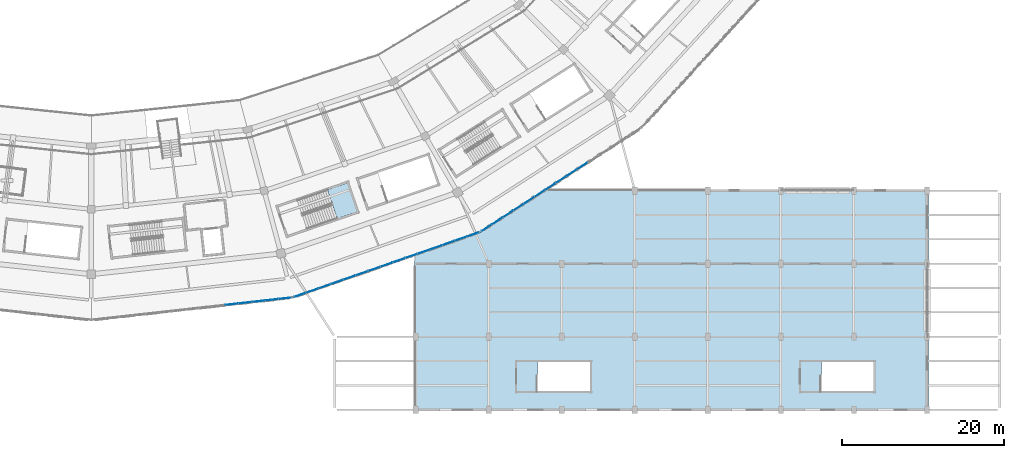
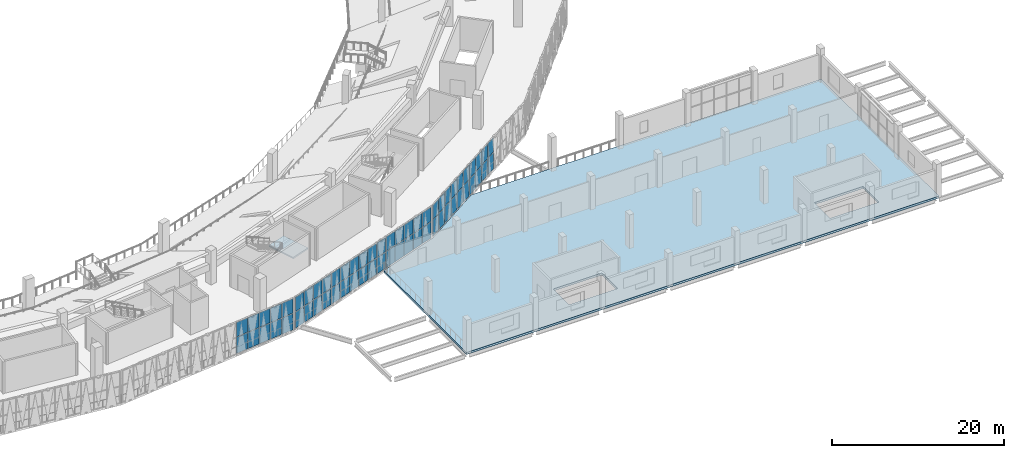
# One storey, part 77 of 152: 60 plates, 2 slabs, 4 elements without a shape of their own.
"""IFC4 building model written with IfcOpenShell, lengths in metres."""

from ifc_helpers import new_model, si_unit, direction, frame, origin, origin_2d, place, context, subcontext, project, spatial, polyline, rectangle, outline, extrude, material, layer, layer_set, type_object, element, aggregate, save


model = new_model("IFC4")

# Units and contexts
model_context = context("Model", 3, precision=1e-05, world=origin(), true_north=direction((0.0, 1.0)))
body_context = subcontext(model_context, "Body", "Model", "MODEL_VIEW")
ifc_project = project(units=[si_unit("LENGTHUNIT", "METRE"), si_unit("AREAUNIT", "SQUARE_METRE"), si_unit("VOLUMEUNIT", "CUBIC_METRE"), si_unit("PLANEANGLEUNIT", "RADIAN"), si_unit("MASSUNIT", "GRAM", prefix="KILO")], contexts=[model_context])

# Site, building, storey
site_placement = place(None, origin())
site = spatial("IfcSite", under=ifc_project, at=site_placement, CompositionType="ELEMENT")
building_placement = place(site_placement, origin())
building = spatial("IfcBuilding", under=site, at=building_placement, Name="Zevraka Park Crest Stadium", CompositionType="ELEMENT")
storey_placement = place(building_placement, frame((0.0, 0.0, 15.0)))
storey = spatial("IfcBuildingStorey", under=building, at=storey_placement, Name="L03", CompositionType="ELEMENT", Elevation=15.0)

# Curtain wall, plates
ifc_material_1 = material(Name="Anodised architectural aluminium and laminated safety glass", Category="aluminium")
curtain_wall_type_1 = type_object("IfcCurtainWallType", Name="CW11", PredefinedType="NOTDEFINED", material=ifc_material_1)
curtain_wall_1_placement = place(storey_placement, origin())
curtain_wall_1 = element("IfcCurtainWall", 1, at=curtain_wall_1_placement, inside=storey, type_object=curtain_wall_type_1, Name="Unitised Ring Curtain Wall CW11 L03-18", PredefinedType="NOTDEFINED")
ifc_material_2 = material(Name="Solar-control laminated double glazing", Category="glass")
ifc_layer_1 = layer(ifc_material_2, 0.028076171875)
ifc_layer_set_1 = layer_set([ifc_layer_1], Name="Solar-control laminated double glazing")
plate_type_1 = type_object("IfcPlateType", Name="CP11", PredefinedType="CURTAIN_PANEL", material=ifc_layer_set_1)
plate_1_placement = place(storey_placement, frame((129.328369140625, 13.00537109375, 0.06494140625), z_axis=(0.0, 0.0, 1.0), x_axis=(0.993887680665, 0.110396006373, 0.0)))
plate_1 = element("IfcPlate", 2, at=plate_1_placement, type_object=plate_type_1, Name="CW11 panel 11.1", PredefinedType="CURTAIN_PANEL", context=body_context, shape_type="SweptSolid", body=[
    extrude(rectangle(XDim=1.5830078125, YDim=0.028076171875, at=origin_2d()), origin(), (0.0, 0.0, 1.0), 2.302490234375),
])
plate_2_placement = place(storey_placement, frame((129.328369140625, 13.00537109375, 2.4326171875), z_axis=(0.0, 0.0, 1.0), x_axis=(0.993887680665, 0.110396006373, 0.0)))
plate_2 = element("IfcPlate", 3, at=plate_2_placement, type_object=plate_type_1, Name="CW11 panel 11.2", PredefinedType="CURTAIN_PANEL", context=body_context, shape_type="SweptSolid", body=[
    extrude(rectangle(XDim=1.5830078125, YDim=0.028076171875, at=origin_2d()), origin(), (0.0, 0.0, 1.0), 2.04248046875),
])
plate_3_placement = place(storey_placement, frame((130.96630859375, 13.187255859375, 0.06494140625), z_axis=(0.0, 0.0, 1.0), x_axis=(0.993887680665, 0.110396006373, 0.0)))
plate_3 = element("IfcPlate", 4, at=plate_3_placement, type_object=plate_type_1, Name="CW11 panel 12.1", PredefinedType="CURTAIN_PANEL", context=body_context, shape_type="SweptSolid", body=[
    extrude(rectangle(XDim=1.5830078125, YDim=0.028076171875, at=origin_2d()), origin(), (0.0, 0.0, 1.0), 2.302490234375),
])
plate_4_placement = place(storey_placement, frame((130.96630859375, 13.187255859375, 2.4326171875), z_axis=(0.0, 0.0, 1.0), x_axis=(0.993887680665, 0.110396006373, 0.0)))
plate_4 = element("IfcPlate", 5, at=plate_4_placement, type_object=plate_type_1, Name="CW11 panel 12.2", PredefinedType="CURTAIN_PANEL", context=body_context, shape_type="SweptSolid", body=[
    extrude(rectangle(XDim=1.5830078125, YDim=0.028076171875, at=origin_2d()), origin(), (0.0, 0.0, 1.0), 2.04248046875),
])
plate_5_placement = place(storey_placement, frame((132.604248046875, 13.369140625, 0.06494140625), z_axis=(0.0, 0.0, 1.0), x_axis=(0.993887680665, 0.110396006373, 0.0)))
plate_5 = element("IfcPlate", 6, at=plate_5_placement, type_object=plate_type_1, Name="CW11 panel 13.1", PredefinedType="CURTAIN_PANEL", context=body_context, shape_type="SweptSolid", body=[
    extrude(rectangle(XDim=1.5830078125, YDim=0.028076171875, at=origin_2d()), origin(), (0.0, 0.0, 1.0), 2.302490234375),
])
plate_6_placement = place(storey_placement, frame((132.604248046875, 13.369140625, 2.4326171875), z_axis=(0.0, 0.0, 1.0), x_axis=(0.993887680665, 0.110396006373, 0.0)))
plate_6 = element("IfcPlate", 7, at=plate_6_placement, type_object=plate_type_1, Name="CW11 panel 13.2", PredefinedType="CURTAIN_PANEL", context=body_context, shape_type="SweptSolid", body=[
    extrude(rectangle(XDim=1.5830078125, YDim=0.028076171875, at=origin_2d()), origin(), (0.0, 0.0, 1.0), 2.04248046875),
])
plate_7_placement = place(storey_placement, frame((134.2421875, 13.551025390625, 0.06494140625), z_axis=(0.0, 0.0, 1.0), x_axis=(0.993887680665, 0.110396006373, 0.0)))
plate_7 = element("IfcPlate", 8, at=plate_7_placement, type_object=plate_type_1, Name="CW11 panel 14.1", PredefinedType="CURTAIN_PANEL", context=body_context, shape_type="SweptSolid", body=[
    extrude(rectangle(XDim=1.5830078125, YDim=0.028076171875, at=origin_2d()), origin(), (0.0, 0.0, 1.0), 2.302490234375),
])
plate_8_placement = place(storey_placement, frame((134.2421875, 13.551025390625, 2.4326171875), z_axis=(0.0, 0.0, 1.0), x_axis=(0.993887680665, 0.110396006373, 0.0)))
plate_8 = element("IfcPlate", 9, at=plate_8_placement, type_object=plate_type_1, Name="CW11 panel 14.2", PredefinedType="CURTAIN_PANEL", context=body_context, shape_type="SweptSolid", body=[
    extrude(rectangle(XDim=1.5830078125, YDim=0.028076171875, at=origin_2d()), origin(), (0.0, 0.0, 1.0), 2.04248046875),
])
plate_9_placement = place(storey_placement, frame((135.86376953125, 13.731201171875, 0.06494140625), z_axis=(0.0, 0.0, 1.0), x_axis=(0.993887680665, 0.110396006373, 0.0)))
plate_9 = element("IfcPlate", 10, at=plate_9_placement, type_object=plate_type_1, Name="CW11 panel 15.1", PredefinedType="CURTAIN_PANEL", context=body_context, shape_type="SweptSolid", body=[
    extrude(rectangle(XDim=1.550537109375, YDim=0.028076171875, at=origin_2d()), origin(), (0.0, 0.0, 1.0), 2.302490234375),
])
plate_10_placement = place(storey_placement, frame((135.86376953125, 13.731201171875, 2.4326171875), z_axis=(0.0, 0.0, 1.0), x_axis=(0.993887680665, 0.110396006373, 0.0)))
plate_10 = element("IfcPlate", 11, at=plate_10_placement, type_object=plate_type_1, Name="CW11 panel 15.2", PredefinedType="CURTAIN_PANEL", context=body_context, shape_type="SweptSolid", body=[
    extrude(rectangle(XDim=1.550537109375, YDim=0.028076171875, at=origin_2d()), origin(), (0.0, 0.0, 1.0), 2.04248046875),
])
aggregate(curtain_wall_1, [plate_1, plate_2, plate_3, plate_4, plate_5, plate_6, plate_7, plate_8, plate_9, plate_10])

ifc_material_3 = material(Name="Anodised architectural aluminium and laminated safety glass", Category="aluminium")
curtain_wall_type_2 = type_object("IfcCurtainWallType", Name="CW12", PredefinedType="NOTDEFINED", material=ifc_material_3)
curtain_wall_2_placement = place(storey_placement, origin())
curtain_wall_2 = element("IfcCurtainWall", 12, at=curtain_wall_2_placement, inside=storey, type_object=curtain_wall_type_2, Name="Unitised Ring Curtain Wall CW12 L03-19", PredefinedType="NOTDEFINED")
ifc_material_4 = material(Name="Solar-control laminated double glazing", Category="glass")
ifc_layer_2 = layer(ifc_material_4, 0.028076171875)
ifc_layer_set_2 = layer_set([ifc_layer_2], Name="Solar-control laminated double glazing")
plate_type_2 = type_object("IfcPlateType", Name="CP12", PredefinedType="CURTAIN_PANEL", material=ifc_layer_set_2)
plate_11_placement = place(storey_placement, frame((137.732421875, 14.154296875, 0.070068359375), z_axis=(0.0, 0.0, 1.0), x_axis=(0.944010008092, 0.329916814701, 0.0)))
plate_11 = element("IfcPlate", 13, at=plate_11_placement, type_object=plate_type_2, Name="CW12 panel 1.1", PredefinedType="CURTAIN_PANEL", context=body_context, shape_type="SweptSolid", body=[
    extrude(rectangle(XDim=1.511474609375, YDim=0.028076171875, at=origin_2d()), origin(), (0.0, 0.0, 1.0), 2.294921875),
])
plate_12_placement = place(storey_placement, frame((137.732421875, 14.154296875, 2.43505859375), z_axis=(0.0, 0.0, 1.0), x_axis=(0.944010008092, 0.329916814701, 0.0)))
plate_12 = element("IfcPlate", 14, at=plate_12_placement, type_object=plate_type_2, Name="CW12 panel 1.2", PredefinedType="CURTAIN_PANEL", context=body_context, shape_type="SweptSolid", body=[
    extrude(rectangle(XDim=1.511474609375, YDim=0.028076171875, at=origin_2d()), origin(), (0.0, 0.0, 1.0), 2.034912109375),
])
plate_13_placement = place(storey_placement, frame((139.24169921875, 14.681884765625, 0.070068359375), z_axis=(0.0, 0.0, 1.0), x_axis=(0.944010008092, 0.329916814701, 0.0)))
plate_13 = element("IfcPlate", 15, at=plate_13_placement, type_object=plate_type_2, Name="CW12 panel 2.1", PredefinedType="CURTAIN_PANEL", context=body_context, shape_type="SweptSolid", body=[
    extrude(rectangle(XDim=1.54638671875, YDim=0.028076171875, at=origin_2d()), origin(), (0.0, 0.0, 1.0), 2.294921875),
])
plate_14_placement = place(storey_placement, frame((139.24169921875, 14.681884765625, 2.43505859375), z_axis=(0.0, 0.0, 1.0), x_axis=(0.944010008092, 0.329916814701, 0.0)))
plate_14 = element("IfcPlate", 16, at=plate_14_placement, type_object=plate_type_2, Name="CW12 panel 2.2", PredefinedType="CURTAIN_PANEL", context=body_context, shape_type="SweptSolid", body=[
    extrude(rectangle(XDim=1.54638671875, YDim=0.028076171875, at=origin_2d()), origin(), (0.0, 0.0, 1.0), 2.034912109375),
])
plate_15_placement = place(storey_placement, frame((140.767578125, 15.215087890625, 0.070068359375), z_axis=(0.0, 0.0, 1.0), x_axis=(0.944010008092, 0.329916814701, 0.0)))
plate_15 = element("IfcPlate", 17, at=plate_15_placement, type_object=plate_type_2, Name="CW12 panel 3.1", PredefinedType="CURTAIN_PANEL", context=body_context, shape_type="SweptSolid", body=[
    extrude(rectangle(XDim=1.54638671875, YDim=0.028076171875, at=origin_2d()), origin(), (0.0, 0.0, 1.0), 2.294921875),
])
plate_16_placement = place(storey_placement, frame((140.767578125, 15.215087890625, 2.43505859375), z_axis=(0.0, 0.0, 1.0), x_axis=(0.944010008092, 0.329916814701, 0.0)))
plate_16 = element("IfcPlate", 18, at=plate_16_placement, type_object=plate_type_2, Name="CW12 panel 3.2", PredefinedType="CURTAIN_PANEL", context=body_context, shape_type="SweptSolid", body=[
    extrude(rectangle(XDim=1.54638671875, YDim=0.028076171875, at=origin_2d()), origin(), (0.0, 0.0, 1.0), 2.034912109375),
])
plate_17_placement = place(storey_placement, frame((142.29345703125, 15.74853515625, 0.070068359375), z_axis=(0.0, 0.0, 1.0), x_axis=(0.944010008092, 0.329916814701, 0.0)))
plate_17 = element("IfcPlate", 19, at=plate_17_placement, type_object=plate_type_2, Name="CW12 panel 4.1", PredefinedType="CURTAIN_PANEL", context=body_context, shape_type="SweptSolid", body=[
    extrude(rectangle(XDim=1.54638671875, YDim=0.028076171875, at=origin_2d()), origin(), (0.0, 0.0, 1.0), 2.294921875),
])
plate_18_placement = place(storey_placement, frame((142.29345703125, 15.74853515625, 2.43505859375), z_axis=(0.0, 0.0, 1.0), x_axis=(0.944010008092, 0.329916814701, 0.0)))
plate_18 = element("IfcPlate", 20, at=plate_18_placement, type_object=plate_type_2, Name="CW12 panel 4.2", PredefinedType="CURTAIN_PANEL", context=body_context, shape_type="SweptSolid", body=[
    extrude(rectangle(XDim=1.54638671875, YDim=0.028076171875, at=origin_2d()), origin(), (0.0, 0.0, 1.0), 2.034912109375),
])
plate_19_placement = place(storey_placement, frame((143.8193359375, 16.28173828125, 0.070068359375), z_axis=(0.0, 0.0, 1.0), x_axis=(0.944010008092, 0.329916814701, 0.0)))
plate_19 = element("IfcPlate", 21, at=plate_19_placement, type_object=plate_type_2, Name="CW12 panel 5.1", PredefinedType="CURTAIN_PANEL", context=body_context, shape_type="SweptSolid", body=[
    extrude(rectangle(XDim=1.54638671875, YDim=0.028076171875, at=origin_2d()), origin(), (0.0, 0.0, 1.0), 2.294921875),
])
plate_20_placement = place(storey_placement, frame((143.8193359375, 16.28173828125, 2.43505859375), z_axis=(0.0, 0.0, 1.0), x_axis=(0.944010008092, 0.329916814701, 0.0)))
plate_20 = element("IfcPlate", 22, at=plate_20_placement, type_object=plate_type_2, Name="CW12 panel 5.2", PredefinedType="CURTAIN_PANEL", context=body_context, shape_type="SweptSolid", body=[
    extrude(rectangle(XDim=1.54638671875, YDim=0.028076171875, at=origin_2d()), origin(), (0.0, 0.0, 1.0), 2.034912109375),
])
plate_21_placement = place(storey_placement, frame((145.34521484375, 16.81494140625, 0.070068359375), z_axis=(0.0, 0.0, 1.0), x_axis=(0.944010008092, 0.329916814701, 0.0)))
plate_21 = element("IfcPlate", 23, at=plate_21_placement, type_object=plate_type_2, Name="CW12 panel 6.1", PredefinedType="CURTAIN_PANEL", context=body_context, shape_type="SweptSolid", body=[
    extrude(rectangle(XDim=1.54638671875, YDim=0.028076171875, at=origin_2d()), origin(), (0.0, 0.0, 1.0), 2.294921875),
])
plate_22_placement = place(storey_placement, frame((145.34521484375, 16.81494140625, 2.43505859375), z_axis=(0.0, 0.0, 1.0), x_axis=(0.944010008092, 0.329916814701, 0.0)))
plate_22 = element("IfcPlate", 24, at=plate_22_placement, type_object=plate_type_2, Name="CW12 panel 6.2", PredefinedType="CURTAIN_PANEL", context=body_context, shape_type="SweptSolid", body=[
    extrude(rectangle(XDim=1.54638671875, YDim=0.028076171875, at=origin_2d()), origin(), (0.0, 0.0, 1.0), 2.034912109375),
])
plate_23_placement = place(storey_placement, frame((146.87109375, 17.34814453125, 0.070068359375), z_axis=(0.0, 0.0, 1.0), x_axis=(0.944010008092, 0.329916814701, 0.0)))
plate_23 = element("IfcPlate", 25, at=plate_23_placement, type_object=plate_type_2, Name="CW12 panel 7.1", PredefinedType="CURTAIN_PANEL", context=body_context, shape_type="SweptSolid", body=[
    extrude(rectangle(XDim=1.54638671875, YDim=0.028076171875, at=origin_2d()), origin(), (0.0, 0.0, 1.0), 2.294921875),
])
plate_24_placement = place(storey_placement, frame((146.87109375, 17.34814453125, 2.43505859375), z_axis=(0.0, 0.0, 1.0), x_axis=(0.944010008092, 0.329916814701, 0.0)))
plate_24 = element("IfcPlate", 26, at=plate_24_placement, type_object=plate_type_2, Name="CW12 panel 7.2", PredefinedType="CURTAIN_PANEL", context=body_context, shape_type="SweptSolid", body=[
    extrude(rectangle(XDim=1.54638671875, YDim=0.028076171875, at=origin_2d()), origin(), (0.0, 0.0, 1.0), 2.034912109375),
])
plate_25_placement = place(storey_placement, frame((148.39697265625, 17.881591796875, 0.070068359375), z_axis=(0.0, 0.0, 1.0), x_axis=(0.944010008092, 0.329916814701, 0.0)))
plate_25 = element("IfcPlate", 27, at=plate_25_placement, type_object=plate_type_2, Name="CW12 panel 8.1", PredefinedType="CURTAIN_PANEL", context=body_context, shape_type="SweptSolid", body=[
    extrude(rectangle(XDim=1.54638671875, YDim=0.028076171875, at=origin_2d()), origin(), (0.0, 0.0, 1.0), 2.294921875),
])
plate_26_placement = place(storey_placement, frame((148.39697265625, 17.881591796875, 2.43505859375), z_axis=(0.0, 0.0, 1.0), x_axis=(0.944010008092, 0.329916814701, 0.0)))
plate_26 = element("IfcPlate", 28, at=plate_26_placement, type_object=plate_type_2, Name="CW12 panel 8.2", PredefinedType="CURTAIN_PANEL", context=body_context, shape_type="SweptSolid", body=[
    extrude(rectangle(XDim=1.54638671875, YDim=0.028076171875, at=origin_2d()), origin(), (0.0, 0.0, 1.0), 2.034912109375),
])
plate_27_placement = place(storey_placement, frame((149.9228515625, 18.414794921875, 0.070068359375), z_axis=(0.0, 0.0, 1.0), x_axis=(0.944010008092, 0.329916814701, 0.0)))
plate_27 = element("IfcPlate", 29, at=plate_27_placement, type_object=plate_type_2, Name="CW12 panel 9.1", PredefinedType="CURTAIN_PANEL", context=body_context, shape_type="SweptSolid", body=[
    extrude(rectangle(XDim=1.54638671875, YDim=0.028076171875, at=origin_2d()), origin(), (0.0, 0.0, 1.0), 2.294921875),
])
plate_28_placement = place(storey_placement, frame((149.9228515625, 18.414794921875, 2.43505859375), z_axis=(0.0, 0.0, 1.0), x_axis=(0.944010008092, 0.329916814701, 0.0)))
plate_28 = element("IfcPlate", 30, at=plate_28_placement, type_object=plate_type_2, Name="CW12 panel 9.2", PredefinedType="CURTAIN_PANEL", context=body_context, shape_type="SweptSolid", body=[
    extrude(rectangle(XDim=1.54638671875, YDim=0.028076171875, at=origin_2d()), origin(), (0.0, 0.0, 1.0), 2.034912109375),
])
plate_29_placement = place(storey_placement, frame((151.44873046875, 18.947998046875, 0.070068359375), z_axis=(0.0, 0.0, 1.0), x_axis=(0.944010008092, 0.329916814701, 0.0)))
plate_29 = element("IfcPlate", 31, at=plate_29_placement, type_object=plate_type_2, Name="CW12 panel 10.1", PredefinedType="CURTAIN_PANEL", context=body_context, shape_type="SweptSolid", body=[
    extrude(rectangle(XDim=1.54638671875, YDim=0.028076171875, at=origin_2d()), origin(), (0.0, 0.0, 1.0), 2.294921875),
])
plate_30_placement = place(storey_placement, frame((151.44873046875, 18.947998046875, 2.43505859375), z_axis=(0.0, 0.0, 1.0), x_axis=(0.944010008092, 0.329916814701, 0.0)))
plate_30 = element("IfcPlate", 32, at=plate_30_placement, type_object=plate_type_2, Name="CW12 panel 10.2", PredefinedType="CURTAIN_PANEL", context=body_context, shape_type="SweptSolid", body=[
    extrude(rectangle(XDim=1.54638671875, YDim=0.028076171875, at=origin_2d()), origin(), (0.0, 0.0, 1.0), 2.034912109375),
])
plate_31_placement = place(storey_placement, frame((152.974609375, 19.481201171875, 0.070068359375), z_axis=(0.0, 0.0, 1.0), x_axis=(0.944010008092, 0.329916814701, 0.0)))
plate_31 = element("IfcPlate", 33, at=plate_31_placement, type_object=plate_type_2, Name="CW12 panel 11.1", PredefinedType="CURTAIN_PANEL", context=body_context, shape_type="SweptSolid", body=[
    extrude(rectangle(XDim=1.54638671875, YDim=0.028076171875, at=origin_2d()), origin(), (0.0, 0.0, 1.0), 2.294921875),
])
plate_32_placement = place(storey_placement, frame((152.974609375, 19.481201171875, 2.43505859375), z_axis=(0.0, 0.0, 1.0), x_axis=(0.944010008092, 0.329916814701, 0.0)))
plate_32 = element("IfcPlate", 34, at=plate_32_placement, type_object=plate_type_2, Name="CW12 panel 11.2", PredefinedType="CURTAIN_PANEL", context=body_context, shape_type="SweptSolid", body=[
    extrude(rectangle(XDim=1.54638671875, YDim=0.028076171875, at=origin_2d()), origin(), (0.0, 0.0, 1.0), 2.034912109375),
])
plate_33_placement = place(storey_placement, frame((154.50048828125, 20.0146484375, 0.070068359375), z_axis=(0.0, 0.0, 1.0), x_axis=(0.944010008092, 0.329916814701, 0.0)))
plate_33 = element("IfcPlate", 35, at=plate_33_placement, type_object=plate_type_2, Name="CW12 panel 12.1", PredefinedType="CURTAIN_PANEL", context=body_context, shape_type="SweptSolid", body=[
    extrude(rectangle(XDim=1.54638671875, YDim=0.028076171875, at=origin_2d()), origin(), (0.0, 0.0, 1.0), 2.294921875),
])
plate_34_placement = place(storey_placement, frame((154.50048828125, 20.0146484375, 2.43505859375), z_axis=(0.0, 0.0, 1.0), x_axis=(0.944010008092, 0.329916814701, 0.0)))
plate_34 = element("IfcPlate", 36, at=plate_34_placement, type_object=plate_type_2, Name="CW12 panel 12.2", PredefinedType="CURTAIN_PANEL", context=body_context, shape_type="SweptSolid", body=[
    extrude(rectangle(XDim=1.54638671875, YDim=0.028076171875, at=origin_2d()), origin(), (0.0, 0.0, 1.0), 2.034912109375),
])
plate_35_placement = place(storey_placement, frame((156.0263671875, 20.5478515625, 0.070068359375), z_axis=(0.0, 0.0, 1.0), x_axis=(0.944010008092, 0.329916814701, 0.0)))
plate_35 = element("IfcPlate", 37, at=plate_35_placement, type_object=plate_type_2, Name="CW12 panel 13.1", PredefinedType="CURTAIN_PANEL", context=body_context, shape_type="SweptSolid", body=[
    extrude(rectangle(XDim=1.54638671875, YDim=0.028076171875, at=origin_2d()), origin(), (0.0, 0.0, 1.0), 2.294921875),
])
plate_36_placement = place(storey_placement, frame((156.0263671875, 20.5478515625, 2.43505859375), z_axis=(0.0, 0.0, 1.0), x_axis=(0.944010008092, 0.329916814701, 0.0)))
plate_36 = element("IfcPlate", 38, at=plate_36_placement, type_object=plate_type_2, Name="CW12 panel 13.2", PredefinedType="CURTAIN_PANEL", context=body_context, shape_type="SweptSolid", body=[
    extrude(rectangle(XDim=1.54638671875, YDim=0.028076171875, at=origin_2d()), origin(), (0.0, 0.0, 1.0), 2.034912109375),
])
plate_37_placement = place(storey_placement, frame((157.55224609375, 21.0810546875, 0.070068359375), z_axis=(0.0, 0.0, 1.0), x_axis=(0.944010008092, 0.329916814701, 0.0)))
plate_37 = element("IfcPlate", 39, at=plate_37_placement, type_object=plate_type_2, Name="CW12 panel 14.1", PredefinedType="CURTAIN_PANEL", context=body_context, shape_type="SweptSolid", body=[
    extrude(rectangle(XDim=1.54638671875, YDim=0.028076171875, at=origin_2d()), origin(), (0.0, 0.0, 1.0), 2.294921875),
])
plate_38_placement = place(storey_placement, frame((157.55224609375, 21.0810546875, 2.43505859375), z_axis=(0.0, 0.0, 1.0), x_axis=(0.944010008092, 0.329916814701, 0.0)))
plate_38 = element("IfcPlate", 40, at=plate_38_placement, type_object=plate_type_2, Name="CW12 panel 14.2", PredefinedType="CURTAIN_PANEL", context=body_context, shape_type="SweptSolid", body=[
    extrude(rectangle(XDim=1.54638671875, YDim=0.028076171875, at=origin_2d()), origin(), (0.0, 0.0, 1.0), 2.034912109375),
])
plate_39_placement = place(storey_placement, frame((159.0615234375, 21.608642578125, 0.070068359375), z_axis=(0.0, 0.0, 1.0), x_axis=(0.944010008092, 0.329916814701, 0.0)))
plate_39 = element("IfcPlate", 41, at=plate_39_placement, type_object=plate_type_2, Name="CW12 panel 15.1", PredefinedType="CURTAIN_PANEL", context=body_context, shape_type="SweptSolid", body=[
    extrude(rectangle(XDim=1.511474609375, YDim=0.028076171875, at=origin_2d()), origin(), (0.0, 0.0, 1.0), 2.294921875),
])
plate_40_placement = place(storey_placement, frame((159.0615234375, 21.608642578125, 2.43505859375), z_axis=(0.0, 0.0, 1.0), x_axis=(0.944010008092, 0.329916814701, 0.0)))
plate_40 = element("IfcPlate", 42, at=plate_40_placement, type_object=plate_type_2, Name="CW12 panel 15.2", PredefinedType="CURTAIN_PANEL", context=body_context, shape_type="SweptSolid", body=[
    extrude(rectangle(XDim=1.511474609375, YDim=0.028076171875, at=origin_2d()), origin(), (0.0, 0.0, 1.0), 2.034912109375),
])
aggregate(curtain_wall_2, [plate_11, plate_12, plate_13, plate_14, plate_15, plate_16, plate_17, plate_18, plate_19, plate_20, plate_21, plate_22, plate_23, plate_24, plate_25, plate_26, plate_27, plate_28, plate_29, plate_30, plate_31, plate_32, plate_33, plate_34, plate_35, plate_36, plate_37, plate_38, plate_39, plate_40])

ifc_material_5 = material(Name="Anodised architectural aluminium and laminated safety glass", Category="aluminium")
curtain_wall_type_3 = type_object("IfcCurtainWallType", Name="CW13", PredefinedType="NOTDEFINED", material=ifc_material_5)
curtain_wall_3_placement = place(storey_placement, origin())
curtain_wall_3 = element("IfcCurtainWall", 43, at=curtain_wall_3_placement, inside=storey, type_object=curtain_wall_type_3, Name="Unitised Ring Curtain Wall CW13 L03-20", PredefinedType="NOTDEFINED")
ifc_material_6 = material(Name="Solar-control laminated double glazing", Category="glass")
ifc_layer_3 = layer(ifc_material_6, 0.031982421875)
ifc_layer_set_3 = layer_set([ifc_layer_3], Name="Solar-control laminated double glazing")
plate_type_3 = type_object("IfcPlateType", Name="CP13", PredefinedType="CURTAIN_PANEL", material=ifc_layer_set_3)
plate_41_placement = place(storey_placement, frame((160.741455078125, 22.42724609375, 0.06005859375), z_axis=(0.0, 0.0, 1.0), x_axis=(0.839429134517, 0.543469160232, 0.0)))
plate_41 = element("IfcPlate", 44, at=plate_41_placement, type_object=plate_type_3, Name="CW13 panel 1.1", PredefinedType="CURTAIN_PANEL", context=body_context, shape_type="SweptSolid", body=[
    extrude(rectangle(XDim=1.470458984375, YDim=0.031982421875, at=origin_2d()), origin(), (0.0, 0.0, 1.0), 2.31005859375),
])
plate_42_placement = place(storey_placement, frame((160.741455078125, 22.42724609375, 2.43017578125), z_axis=(0.0, 0.0, 1.0), x_axis=(0.839429134517, 0.543469160232, 0.0)))
plate_42 = element("IfcPlate", 45, at=plate_42_placement, type_object=plate_type_3, Name="CW13 panel 1.2", PredefinedType="CURTAIN_PANEL", context=body_context, shape_type="SweptSolid", body=[
    extrude(rectangle(XDim=1.470458984375, YDim=0.031982421875, at=origin_2d()), origin(), (0.0, 0.0, 1.0), 2.050048828125),
])
plate_43_placement = place(storey_placement, frame((162.038818359375, 23.26708984375, 0.06005859375), z_axis=(0.0, 0.0, 1.0), x_axis=(0.839429134517, 0.543469160232, 0.0)))
plate_43 = element("IfcPlate", 46, at=plate_43_placement, type_object=plate_type_3, Name="CW13 panel 2.1", PredefinedType="CURTAIN_PANEL", context=body_context, shape_type="SweptSolid", body=[
    extrude(rectangle(XDim=1.500244140625, YDim=0.031982421875, at=origin_2d()), origin(), (0.0, 0.0, 1.0), 2.31005859375),
])
plate_44_placement = place(storey_placement, frame((162.038818359375, 23.26708984375, 2.43017578125), z_axis=(0.0, 0.0, 1.0), x_axis=(0.839429134517, 0.543469160232, 0.0)))
plate_44 = element("IfcPlate", 47, at=plate_44_placement, type_object=plate_type_3, Name="CW13 panel 2.2", PredefinedType="CURTAIN_PANEL", context=body_context, shape_type="SweptSolid", body=[
    extrude(rectangle(XDim=1.500244140625, YDim=0.031982421875, at=origin_2d()), origin(), (0.0, 0.0, 1.0), 2.050048828125),
])
plate_45_placement = place(storey_placement, frame((163.348388671875, 24.114990234375, 0.06005859375), z_axis=(0.0, 0.0, 1.0), x_axis=(0.839429134517, 0.543469160232, 0.0)))
plate_45 = element("IfcPlate", 48, at=plate_45_placement, type_object=plate_type_3, Name="CW13 panel 3.1", PredefinedType="CURTAIN_PANEL", context=body_context, shape_type="SweptSolid", body=[
    extrude(rectangle(XDim=1.500244140625, YDim=0.031982421875, at=origin_2d()), origin(), (0.0, 0.0, 1.0), 2.31005859375),
])
plate_46_placement = place(storey_placement, frame((163.348388671875, 24.114990234375, 2.43017578125), z_axis=(0.0, 0.0, 1.0), x_axis=(0.839429134517, 0.543469160232, 0.0)))
plate_46 = element("IfcPlate", 49, at=plate_46_placement, type_object=plate_type_3, Name="CW13 panel 3.2", PredefinedType="CURTAIN_PANEL", context=body_context, shape_type="SweptSolid", body=[
    extrude(rectangle(XDim=1.500244140625, YDim=0.031982421875, at=origin_2d()), origin(), (0.0, 0.0, 1.0), 2.050048828125),
])
plate_47_placement = place(storey_placement, frame((164.658203125, 24.962890625, 0.06005859375), z_axis=(0.0, 0.0, 1.0), x_axis=(0.839429134517, 0.543469160232, 0.0)))
plate_47 = element("IfcPlate", 50, at=plate_47_placement, type_object=plate_type_3, Name="CW13 panel 4.1", PredefinedType="CURTAIN_PANEL", context=body_context, shape_type="SweptSolid", body=[
    extrude(rectangle(XDim=1.500244140625, YDim=0.031982421875, at=origin_2d()), origin(), (0.0, 0.0, 1.0), 2.31005859375),
])
plate_48_placement = place(storey_placement, frame((164.658203125, 24.962890625, 2.43017578125), z_axis=(0.0, 0.0, 1.0), x_axis=(0.839429134517, 0.543469160232, 0.0)))
plate_48 = element("IfcPlate", 51, at=plate_48_placement, type_object=plate_type_3, Name="CW13 panel 4.2", PredefinedType="CURTAIN_PANEL", context=body_context, shape_type="SweptSolid", body=[
    extrude(rectangle(XDim=1.500244140625, YDim=0.031982421875, at=origin_2d()), origin(), (0.0, 0.0, 1.0), 2.050048828125),
])
plate_49_placement = place(storey_placement, frame((165.968017578125, 25.81103515625, 0.06005859375), z_axis=(0.0, 0.0, 1.0), x_axis=(0.839429134517, 0.543469160232, 0.0)))
plate_49 = element("IfcPlate", 52, at=plate_49_placement, type_object=plate_type_3, Name="CW13 panel 5.1", PredefinedType="CURTAIN_PANEL", context=body_context, shape_type="SweptSolid", body=[
    extrude(rectangle(XDim=1.500244140625, YDim=0.031982421875, at=origin_2d()), origin(), (0.0, 0.0, 1.0), 2.31005859375),
])
plate_50_placement = place(storey_placement, frame((165.968017578125, 25.81103515625, 2.43017578125), z_axis=(0.0, 0.0, 1.0), x_axis=(0.839429134517, 0.543469160232, 0.0)))
plate_50 = element("IfcPlate", 53, at=plate_50_placement, type_object=plate_type_3, Name="CW13 panel 5.2", PredefinedType="CURTAIN_PANEL", context=body_context, shape_type="SweptSolid", body=[
    extrude(rectangle(XDim=1.500244140625, YDim=0.031982421875, at=origin_2d()), origin(), (0.0, 0.0, 1.0), 2.050048828125),
])
plate_51_placement = place(storey_placement, frame((167.27783203125, 26.658935546875, 0.06005859375), z_axis=(0.0, 0.0, 1.0), x_axis=(0.839429134517, 0.543469160232, 0.0)))
plate_51 = element("IfcPlate", 54, at=plate_51_placement, type_object=plate_type_3, Name="CW13 panel 6.1", PredefinedType="CURTAIN_PANEL", context=body_context, shape_type="SweptSolid", body=[
    extrude(rectangle(XDim=1.500244140625, YDim=0.031982421875, at=origin_2d()), origin(), (0.0, 0.0, 1.0), 2.31005859375),
])
plate_52_placement = place(storey_placement, frame((167.27783203125, 26.658935546875, 2.43017578125), z_axis=(0.0, 0.0, 1.0), x_axis=(0.839429134517, 0.543469160232, 0.0)))
plate_52 = element("IfcPlate", 55, at=plate_52_placement, type_object=plate_type_3, Name="CW13 panel 6.2", PredefinedType="CURTAIN_PANEL", context=body_context, shape_type="SweptSolid", body=[
    extrude(rectangle(XDim=1.500244140625, YDim=0.031982421875, at=origin_2d()), origin(), (0.0, 0.0, 1.0), 2.050048828125),
])
plate_53_placement = place(storey_placement, frame((168.587646484375, 27.507080078125, 0.06005859375), z_axis=(0.0, 0.0, 1.0), x_axis=(0.839429134517, 0.543469160232, 0.0)))
plate_53 = element("IfcPlate", 56, at=plate_53_placement, type_object=plate_type_3, Name="CW13 panel 7.1", PredefinedType="CURTAIN_PANEL", context=body_context, shape_type="SweptSolid", body=[
    extrude(rectangle(XDim=1.500244140625, YDim=0.031982421875, at=origin_2d()), origin(), (0.0, 0.0, 1.0), 2.31005859375),
])
plate_54_placement = place(storey_placement, frame((168.587646484375, 27.507080078125, 2.43017578125), z_axis=(0.0, 0.0, 1.0), x_axis=(0.839429134517, 0.543469160232, 0.0)))
plate_54 = element("IfcPlate", 57, at=plate_54_placement, type_object=plate_type_3, Name="CW13 panel 7.2", PredefinedType="CURTAIN_PANEL", context=body_context, shape_type="SweptSolid", body=[
    extrude(rectangle(XDim=1.500244140625, YDim=0.031982421875, at=origin_2d()), origin(), (0.0, 0.0, 1.0), 2.050048828125),
])
plate_55_placement = place(storey_placement, frame((169.8974609375, 28.35498046875, 0.06005859375), z_axis=(0.0, 0.0, 1.0), x_axis=(0.839429134517, 0.543469160232, 0.0)))
plate_55 = element("IfcPlate", 58, at=plate_55_placement, type_object=plate_type_3, Name="CW13 panel 8.1", PredefinedType="CURTAIN_PANEL", context=body_context, shape_type="SweptSolid", body=[
    extrude(rectangle(XDim=1.500244140625, YDim=0.031982421875, at=origin_2d()), origin(), (0.0, 0.0, 1.0), 2.31005859375),
])
plate_56_placement = place(storey_placement, frame((169.8974609375, 28.35498046875, 2.43017578125), z_axis=(0.0, 0.0, 1.0), x_axis=(0.839429134517, 0.543469160232, 0.0)))
plate_56 = element("IfcPlate", 59, at=plate_56_placement, type_object=plate_type_3, Name="CW13 panel 8.2", PredefinedType="CURTAIN_PANEL", context=body_context, shape_type="SweptSolid", body=[
    extrude(rectangle(XDim=1.500244140625, YDim=0.031982421875, at=origin_2d()), origin(), (0.0, 0.0, 1.0), 2.050048828125),
])
plate_57_placement = place(storey_placement, frame((171.207275390625, 29.202880859375, 0.06005859375), z_axis=(0.0, 0.0, 1.0), x_axis=(0.839429134517, 0.543469160232, 0.0)))
plate_57 = element("IfcPlate", 60, at=plate_57_placement, type_object=plate_type_3, Name="CW13 panel 9.1", PredefinedType="CURTAIN_PANEL", context=body_context, shape_type="SweptSolid", body=[
    extrude(rectangle(XDim=1.500244140625, YDim=0.031982421875, at=origin_2d()), origin(), (0.0, 0.0, 1.0), 2.31005859375),
])
plate_58_placement = place(storey_placement, frame((171.207275390625, 29.202880859375, 2.43017578125), z_axis=(0.0, 0.0, 1.0), x_axis=(0.839429134517, 0.543469160232, 0.0)))
plate_58 = element("IfcPlate", 61, at=plate_58_placement, type_object=plate_type_3, Name="CW13 panel 9.2", PredefinedType="CURTAIN_PANEL", context=body_context, shape_type="SweptSolid", body=[
    extrude(rectangle(XDim=1.500244140625, YDim=0.031982421875, at=origin_2d()), origin(), (0.0, 0.0, 1.0), 2.050048828125),
])
plate_59_placement = place(storey_placement, frame((172.51708984375, 30.051025390625, 0.06005859375), z_axis=(0.0, 0.0, 1.0), x_axis=(0.839429134517, 0.543469160232, 0.0)))
plate_59 = element("IfcPlate", 62, at=plate_59_placement, type_object=plate_type_3, Name="CW13 panel 10.1", PredefinedType="CURTAIN_PANEL", context=body_context, shape_type="SweptSolid", body=[
    extrude(rectangle(XDim=1.500244140625, YDim=0.031982421875, at=origin_2d()), origin(), (0.0, 0.0, 1.0), 2.31005859375),
])
plate_60_placement = place(storey_placement, frame((172.51708984375, 30.051025390625, 2.43017578125), z_axis=(0.0, 0.0, 1.0), x_axis=(0.839429134517, 0.543469160232, 0.0)))
plate_60 = element("IfcPlate", 63, at=plate_60_placement, type_object=plate_type_3, Name="CW13 panel 10.2", PredefinedType="CURTAIN_PANEL", context=body_context, shape_type="SweptSolid", body=[
    extrude(rectangle(XDim=1.500244140625, YDim=0.031982421875, at=origin_2d()), origin(), (0.0, 0.0, 1.0), 2.050048828125),
])
aggregate(curtain_wall_3, [plate_41, plate_42, plate_43, plate_44, plate_45, plate_46, plate_47, plate_48, plate_49, plate_50, plate_51, plate_52, plate_53, plate_54, plate_55, plate_56, plate_57, plate_58, plate_59, plate_60])

# Slab
ifc_material_7 = material(Name="Concrete C35/45", Category="concrete")
ifc_layer_4 = layer(ifc_material_7, 0.300048828125)
ifc_layer_set_4 = layer_set([ifc_layer_4], Name="Concrete C35/45")
slab_type_1 = type_object("IfcSlabType", Name="FS01", PredefinedType="FLOOR", material=ifc_layer_set_4)
slab_1_placement = place(storey_placement, frame((0.0, 0.0, -0.300048828125)))
element("IfcSlab", 64, at=slab_1_placement, inside=storey, type_object=slab_type_1, Name="South Street Broadcast, Press Auditorium and Central Plant Wing Floor Slab L03-2", PredefinedType="FLOOR", context=body_context, shape_type="SweptSolid", body=[
    extrude(outline(polyline([(215.175048828125, -0.175048828125), (151.824951171875, -0.175048828125), (151.824951171875, 18.989990234375), (160.001953125, 21.847900390625), (168.23095703125, 27.175048828125), (215.175048828125, 27.175048828125), (215.175048828125, -0.175048828125)]), holes=[polyline([(166.97998046875, 2.25), (173.5, 2.25), (173.5, 5.909912109375), (166.97998046875, 5.909912109375), (166.97998046875, 2.25)]), polyline([(201.97998046875, 2.25), (208.5, 2.25), (208.5, 5.909912109375), (201.97998046875, 5.909912109375), (201.97998046875, 2.25)])]), origin(), (0.0, 0.0, 1.0), 0.300048828125),
])

# Stair, slab
ifc_material_8 = material(Name="Concrete C35/45", Category="concrete")
stair_type = type_object("IfcStairType", Name="STA2", PredefinedType="HALF_TURN_STAIR", material=ifc_material_8)
stair_placement = place(storey_placement, origin())
stair = element("IfcStair", 65, at=stair_placement, inside=storey, type_object=stair_type, Name="L03 Protected Concourse Exit Stair ST20", PredefinedType="HALF_TURN_STAIR")
ifc_material_9 = material(Name="Concrete C35/45", Category="concrete")
ifc_layer_5 = layer(ifc_material_9, 0.199951171875)
ifc_layer_set_5 = layer_set([ifc_layer_5], Name="Concrete C35/45")
slab_type_2 = type_object("IfcSlabType", Name="LS01", PredefinedType="LANDING", material=ifc_layer_set_5)
slab_2_placement = place(storey_placement, frame((0.0, 0.0, 2.199951171875)))
slab_2 = element("IfcSlab", 66, at=slab_2_placement, type_object=slab_type_2, Name="ST20 landing 1", PredefinedType="LANDING", context=body_context, shape_type="SweptSolid", body=[
    extrude(outline(polyline([(142.310546875, 23.557373046875), (144.77978515625, 24.403076171875), (143.561767578125, 27.960205078125), (141.092529296875, 27.114501953125), (142.310546875, 23.557373046875)])), origin(), (0.0, 0.0, 1.0), 0.199951171875),
])
aggregate(stair, [slab_2])

save(model, "model.ifc")
